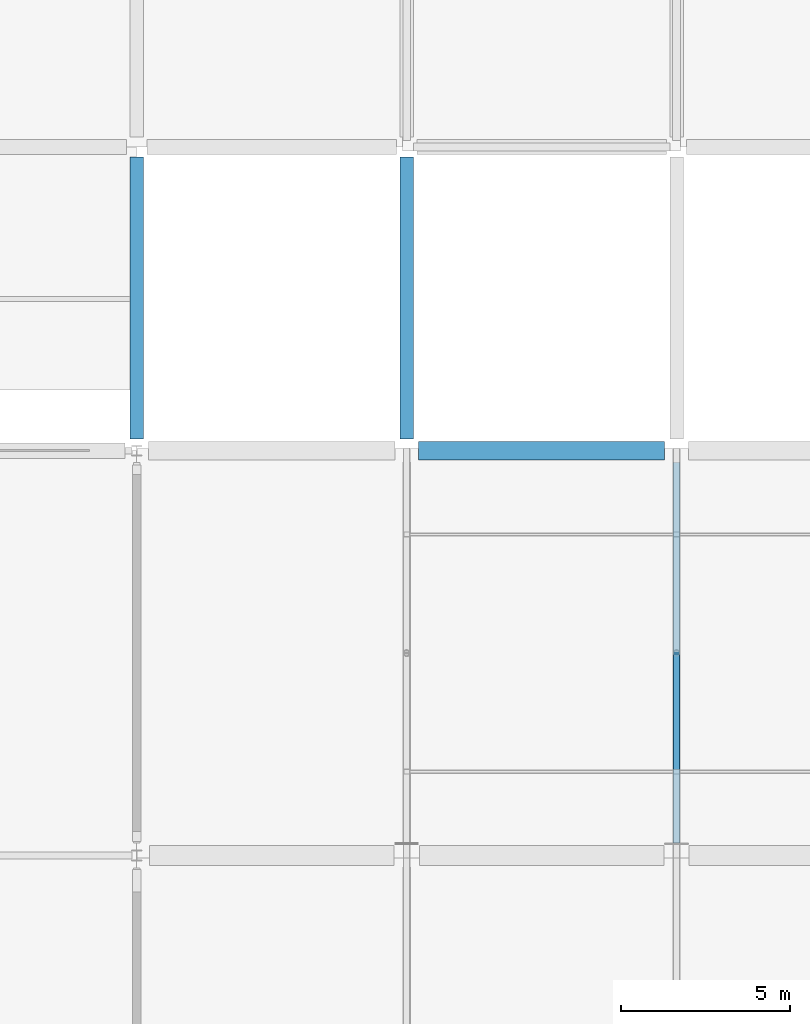
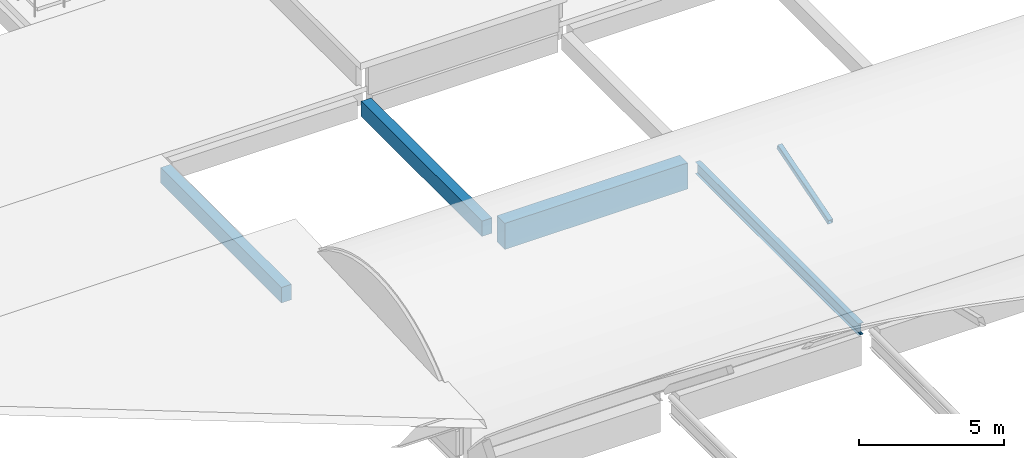
# One storey, part 15 of 57: 4 beams, 1 member.
"""IFC4 building model written with IfcOpenShell, lengths in metres."""

import ifcopenshell
import ifcopenshell.guid

model = None  # the IFC model being written
_history = None  # IfcOwnerHistory: only IFC2X3 demands one
_inside = {}  # id of a spatial element -> (the spatial element, [elements in it])
_under = {}  # id of a project, library or spatial element -> (it, [spatial elements below it])
_declared = {}  # id of a project -> (the project, [libraries it declares])
_typed = {}  # id of a type object -> (the type object, [elements of that type])
_made_of = {}  # id of a material, layer set ... -> (it, [elements and type objects made of it])


def new_model(schema):
    """Start an empty IFC model of exactly this schema.

    Asked for "IFC4X3", IfcOpenShell would pick the latest addendum, in which some entities
    have other attributes; the version numbers below select the first issue.
    IFC2X3 requires an IfcOwnerHistory on every rooted entity: one is made here for all.
    """
    global model, _history
    if schema == "IFC4X3":
        model = ifcopenshell.file(schema_version=(4, 3, 0, 0))
    else:
        model = ifcopenshell.file(schema=schema)
    _inside.clear()
    _under.clear()
    _declared.clear()
    _typed.clear()
    _made_of.clear()
    _history = None
    if model.schema == "IFC2X3":
        org = make("IfcOrganization", Name="unknown")
        user = make(
            "IfcPersonAndOrganization",
            ThePerson=make("IfcPerson", FamilyName="unknown"),
            TheOrganization=org,
        )
        app = make(
            "IfcApplication",
            ApplicationDeveloper=org,
            Version="unknown",
            ApplicationFullName="unknown",
            ApplicationIdentifier="unknown",
        )
        _history = make(
            "IfcOwnerHistory",
            OwningUser=user,
            OwningApplication=app,
            ChangeAction="ADDED",
            CreationDate=0,
        )
    return model


def make(cls, **values):
    """One entity of the class cls with the attributes given. An attribute that is None is left unset."""
    return model.create_entity(
        cls, **{name: value for name, value in values.items() if value is not None}
    )


def rooted(cls, **values):
    """An entity with a GlobalId (a new one), such as an element, a storey or a relation."""
    return make(cls, GlobalId=ifcopenshell.guid.new(), OwnerHistory=_history, **values)


def si_unit(unit_type, name, prefix=None):
    """IfcSIUnit, for example si_unit("LENGTHUNIT", "METRE", prefix="MILLI")."""
    return make("IfcSIUnit", UnitType=unit_type, Prefix=prefix, Name=name)


def assignment(units):
    """IfcUnitAssignment: the units of a project."""
    return None if units is None else make("IfcUnitAssignment", Units=units)


def point(xyz):
    """IfcCartesianPoint."""
    return None if xyz is None else make("IfcCartesianPoint", Coordinates=xyz)


def direction(xyz):
    """IfcDirection."""
    return None if xyz is None else make("IfcDirection", DirectionRatios=xyz)


def frame(location, z_axis=None, x_axis=None):
    """IfcAxis2Placement3D, a coordinate frame: its origin and axes. An axis left out is left unset."""
    return make(
        "IfcAxis2Placement3D",
        Location=point(location),
        Axis=direction(z_axis),
        RefDirection=direction(x_axis),
    )


def frame_2d(location, x_axis=None):
    """IfcAxis2Placement2D, a coordinate frame in the plane: its origin and x axis."""
    return make(
        "IfcAxis2Placement2D", Location=point(location), RefDirection=direction(x_axis)
    )


def origin():
    """The frame at (0, 0, 0) with its axes left unset."""
    return frame((0.0, 0.0, 0.0))


def origin_2d():
    """The frame at (0, 0) in the plane with its x axis left unset."""
    return frame_2d((0.0, 0.0))


def place(relative_to, where):
    """IfcLocalPlacement: puts the frame where relative to a parent placement (None: the world)."""
    return make(
        "IfcLocalPlacement", PlacementRelTo=relative_to, RelativePlacement=where
    )


def context(
    kind, dimensions, precision=None, world=None, true_north=None, identifier=None
):
    """IfcGeometricRepresentationContext, for example the 3D "Model" context."""
    return make(
        "IfcGeometricRepresentationContext",
        ContextIdentifier=identifier,
        ContextType=kind,
        CoordinateSpaceDimension=dimensions,
        Precision=precision,
        WorldCoordinateSystem=world,
        TrueNorth=true_north,
    )


def subcontext(parent, identifier, kind, view, scale=None):
    """IfcGeometricRepresentationSubContext, for example "Body" below "Model"."""
    return make(
        "IfcGeometricRepresentationSubContext",
        ContextIdentifier=identifier,
        ContextType=kind,
        ParentContext=parent,
        TargetScale=scale,
        TargetView=view,
    )


def project(units=None, contexts=None):
    """IfcProject with its units and contexts."""
    return rooted(
        "IfcProject",
        Name="project",
        RepresentationContexts=contexts,
        UnitsInContext=assignment(units),
    )


def spatial(cls, under=None, at=None, **own):
    """A site, building, storey or space (cls), placed at a placement, below another one or the project."""
    s = rooted(cls, ObjectPlacement=at, **own)
    if under is not None:
        _under.setdefault(under.id(), (under, []))[1].append(s)
    return s


def profile(cls, at=None, kind="AREA", **sizes):
    """A parametric profile (cls). Its sizes go by their IFC names, for example OverallWidth=200.0."""
    return make(cls, ProfileType=kind, Position=at, **sizes)


def rectangle(**sizes):
    """IfcRectangleProfileDef."""
    return profile("IfcRectangleProfileDef", **sizes)


def hollow_rectangle(**sizes):
    """IfcRectangleHollowProfileDef."""
    return profile("IfcRectangleHollowProfileDef", **sizes)


def i_section(**sizes):
    """IfcIShapeProfileDef."""
    return profile("IfcIShapeProfileDef", **sizes)


def extrude(swept, where, along, depth):
    """IfcExtrudedAreaSolid: the profile swept, set in the frame where, extruded along a direction by depth."""
    return make(
        "IfcExtrudedAreaSolid",
        SweptArea=swept,
        Position=where,
        ExtrudedDirection=direction(along),
        Depth=depth,
    )


def shape(context_of_items, identifier, shape_type, items):
    """IfcShapeRepresentation: the items that make up one representation, for example the "Body"."""
    return make(
        "IfcShapeRepresentation",
        ContextOfItems=context_of_items,
        RepresentationIdentifier=identifier,
        RepresentationType=shape_type,
        Items=items,
    )


def material(Name=None, Category=None):
    """IfcMaterial."""
    return make("IfcMaterial", Name=Name, Category=Category)


def material_profile(
    of_material, cross_section, Name=None, Category=None, Priority=None
):
    """IfcMaterialProfile: a cross section and its material."""
    return make(
        "IfcMaterialProfile",
        Name=Name,
        Material=of_material,
        Profile=cross_section,
        Priority=Priority,
        Category=Category,
    )


def profile_set(profiles, Name=None, composite=None):
    """IfcMaterialProfileSet."""
    return make(
        "IfcMaterialProfileSet",
        Name=Name,
        MaterialProfiles=profiles,
        CompositeProfile=composite,
    )


def made_of(thing, what):
    """Note that an element or type object is made of a material, layer set ...; save() writes the relation."""
    if what is not None:
        _made_of.setdefault(what.id(), (what, []))[1].append(thing)
    return thing


def type_object(cls, material=None, **own):
    """A type object (cls), such as IfcWallType, which elements share."""
    return made_of(rooted(cls, **own), material)


def element(
    cls,
    number,
    at=None,
    inside=None,
    cuts=None,
    type_object=None,
    material=None,
    context=None,
    identifier="Body",
    shape_type=None,
    held_by="IfcProductDefinitionShape",
    body=None,
    shapes=None,
    **own,
):
    """One element of the class cls, such as IfcWall. Its Tag is "e" and its number.

    at: its placement. inside: the storey or other place that contains it. cuts: it is an
    opening in that element (IfcRelVoidsElement). A single representation is given by context,
    identifier, shape_type and body (its items); several are given by shapes. held_by: the class
    of the entity that holds the representations. save() writes the other relations.
    """
    e = rooted(cls, Tag="e%d" % number, ObjectPlacement=at, **own)
    if body is not None:
        shapes = [shape(context, identifier, shape_type, body)]
    if shapes is not None:
        e.Representation = make(held_by, Representations=shapes)
    if inside is not None:
        _inside.setdefault(inside.id(), (inside, []))[1].append(e)
    if cuts is not None:
        rooted(
            "IfcRelVoidsElement", RelatingBuildingElement=cuts, RelatedOpeningElement=e
        )
    if type_object is not None:
        _typed.setdefault(type_object.id(), (type_object, []))[1].append(e)
    return made_of(e, material)


def aggregate(whole, parts):
    """IfcRelAggregates: a whole, such as a stair, and the parts it consists of."""
    return rooted("IfcRelAggregates", RelatingObject=whole, RelatedObjects=parts)


def save(model, path):
    """Write the relations noted so far, then the file.

    IfcRelAggregates (storeys below a building ...), IfcRelContainedInSpatialStructure (elements
    in a storey), IfcRelDefinesByType, IfcRelAssociatesMaterial and IfcRelDeclares: one each for
    every whole, place, type object, material and project.
    """
    for whole, parts in _under.values():
        aggregate(whole, parts)
    for where, things in _inside.values():
        rooted(
            "IfcRelContainedInSpatialStructure",
            RelatedElements=things,
            RelatingStructure=where,
        )
    for kind, things in _typed.values():
        rooted("IfcRelDefinesByType", RelatedObjects=things, RelatingType=kind)
    for what, things in _made_of.values():
        rooted("IfcRelAssociatesMaterial", RelatedObjects=things, RelatingMaterial=what)
    for by, libraries in _declared.values():
        rooted("IfcRelDeclares", RelatingContext=by, RelatedDefinitions=libraries)
    model.write(path)


model = new_model("IFC4")

# Units and contexts
model_context = context("Model", 3, precision=1e-05, world=origin(), true_north=direction((0.0, 1.0)))
body_context = subcontext(model_context, "Body", "Model", "MODEL_VIEW")
ifc_project = project(units=[si_unit("LENGTHUNIT", "METRE"), si_unit("AREAUNIT", "SQUARE_METRE"), si_unit("VOLUMEUNIT", "CUBIC_METRE"), si_unit("PLANEANGLEUNIT", "RADIAN"), si_unit("MASSUNIT", "GRAM", prefix="KILO"), si_unit("THERMODYNAMICTEMPERATUREUNIT", "KELVIN"), si_unit("POWERUNIT", "WATT")], contexts=[model_context])

# Site, building, storey
site_placement = place(None, origin())
site = spatial("IfcSite", under=ifc_project, at=site_placement, CompositionType="ELEMENT")
building_placement = place(site_placement, origin())
building = spatial("IfcBuilding", under=site, at=building_placement, Name="Kronsvod Quay Wholesale Market", CompositionType="ELEMENT")
storey_placement = place(building_placement, frame((0.0, 0.0, 13.199951171875)))
storey = spatial("IfcBuildingStorey", under=building, at=storey_placement, Name="L03", CompositionType="ELEMENT", Elevation=13.199951171875)

# Beams
ifc_material_1 = material(Name="Precast concrete C40/50", Category="concrete")
ifc_material_profile_1 = material_profile(ifc_material_1, rectangle(XDim=0.39990234375, YDim=0.64990234375, at=origin_2d()), Name="PCB400x650")
ifc_profile_set_1 = profile_set([ifc_material_profile_1], Name="Precast concrete C40/50")
beam_type_1 = type_object("IfcBeamType", Name="Beam_PCB400x650", PredefinedType="BEAM", material=ifc_profile_set_1)
for number, where, z_axis, x_axis, name in (
    (1, (32.0, 90.35009765625, -0.635009765625), (0.0, 1.0, 0.0), (-1.0, 0.0, 0.0), "BMY-L03-320-900"),
    (2, (40.0, 90.35009765625, -0.635009765625), (0.0, 1.0, 0.0), (-1.0, 0.0, 0.0), "BMY-L03-400-900"),
):
    element("IfcBeam", number, at=place(storey_placement, frame(where, z_axis=z_axis, x_axis=x_axis)), inside=storey, type_object=beam_type_1, Name=name, PredefinedType="BEAM", context=body_context, shape_type="SweptSolid", body=[
        extrude(rectangle(XDim=0.39990234375, YDim=0.64990234375, at=origin_2d()), origin(), (0.0, 0.0, 1.0), 8.349853515625),
    ])
ifc_material_2 = material(Name="Precast concrete C40/50", Category="concrete")
ifc_material_profile_2 = material_profile(ifc_material_2, rectangle(XDim=0.550048828125, YDim=1.10009765625, at=origin_2d()), Name="PCVG550x1100")
ifc_profile_set_2 = profile_set([ifc_material_profile_2], Name="Precast concrete C40/50")
beam_type_2 = type_object("IfcBeamType", Name="Girder_PCVG550x1100", PredefinedType="T_BEAM", material=ifc_profile_set_2)
beam_1_placement = place(storey_placement, frame((40.35009765625, 90.0, -0.77001953125), z_axis=(1.0, 0.0, 0.0), x_axis=(0.0, 1.0, 0.0)))
element("IfcBeam", 3, at=beam_1_placement, inside=storey, type_object=beam_type_2, Name="BMX-L03-400-900", PredefinedType="T_BEAM", context=body_context, shape_type="SweptSolid", body=[
    extrude(rectangle(XDim=0.550048828125, YDim=1.10009765625, at=origin_2d()), origin(), (0.0, 0.0, 1.0), 7.2998046875),
])
ifc_material_3 = material(Name="Steel S355", Category="steel")
ifc_material_profile_3 = material_profile(ifc_material_3, i_section(OverallWidth=0.198974609375, OverallDepth=0.49609375, WebThickness=0.009033203125, FlangeThickness=0.013916015625, FilletRadius=0.02001953125, at=origin_2d()), Name="50B1")
ifc_profile_set_3 = profile_set([ifc_material_profile_3], Name="Steel S355")
beam_type_3 = type_object("IfcBeamType", Name="Girder_Steel50B1", PredefinedType="T_BEAM", material=ifc_profile_set_3)
beam_2_placement = place(storey_placement, frame((48.0, 78.375, -0.468017578125), z_axis=(0.0, 1.0, 0.0), x_axis=(-1.0, 0.0, 0.0)))
element("IfcBeam", 4, at=beam_2_placement, inside=storey, type_object=beam_type_3, Name="BMY-L03-480-780", PredefinedType="T_BEAM", context=body_context, shape_type="SweptSolid", body=[
    extrude(i_section(OverallWidth=0.198974609375, OverallDepth=0.49609375, WebThickness=0.009033203125, FlangeThickness=0.013916015625, FilletRadius=0.02001953125, at=origin_2d()), origin(), (0.0, 0.0, 1.0), 11.27490234375),
])

# Member
ifc_material_4 = material(Name="Steel S355", Category="steel")
ifc_material_profile_4 = material_profile(ifc_material_4, hollow_rectangle(XDim=0.199951171875, YDim=0.199951171875, WallThickness=0.010009765625, InnerFilletRadius=0.010009765625, OuterFilletRadius=0.02001953125, at=origin_2d()), Name="RHS200x200x10")
ifc_profile_set_4 = profile_set([ifc_material_profile_4], Name="Steel S355")
member_type = type_object("IfcMemberType", Name="Member_Arch200x200", PredefinedType="RAFTER", material=ifc_profile_set_4)
member_placement = place(storey_placement, frame((48.0, 80.483154296875, 2.775146484375), z_axis=(0.0, 0.957082500132, 0.289815610245), x_axis=(-1.0, 0.0, 0.0)))
element("IfcMember", 5, at=member_placement, inside=storey, type_object=member_type, Name="ARCG-SH-V1W-N-480-1", PredefinedType="RAFTER", context=body_context, shape_type="SweptSolid", body=[
    extrude(hollow_rectangle(XDim=0.199951171875, YDim=0.199951171875, WallThickness=0.010009765625, InnerFilletRadius=0.010009765625, OuterFilletRadius=0.02001953125, at=origin_2d()), origin(), (0.0, 0.0, 1.0), 3.674560546875),
])

save(model, "model.ifc")
